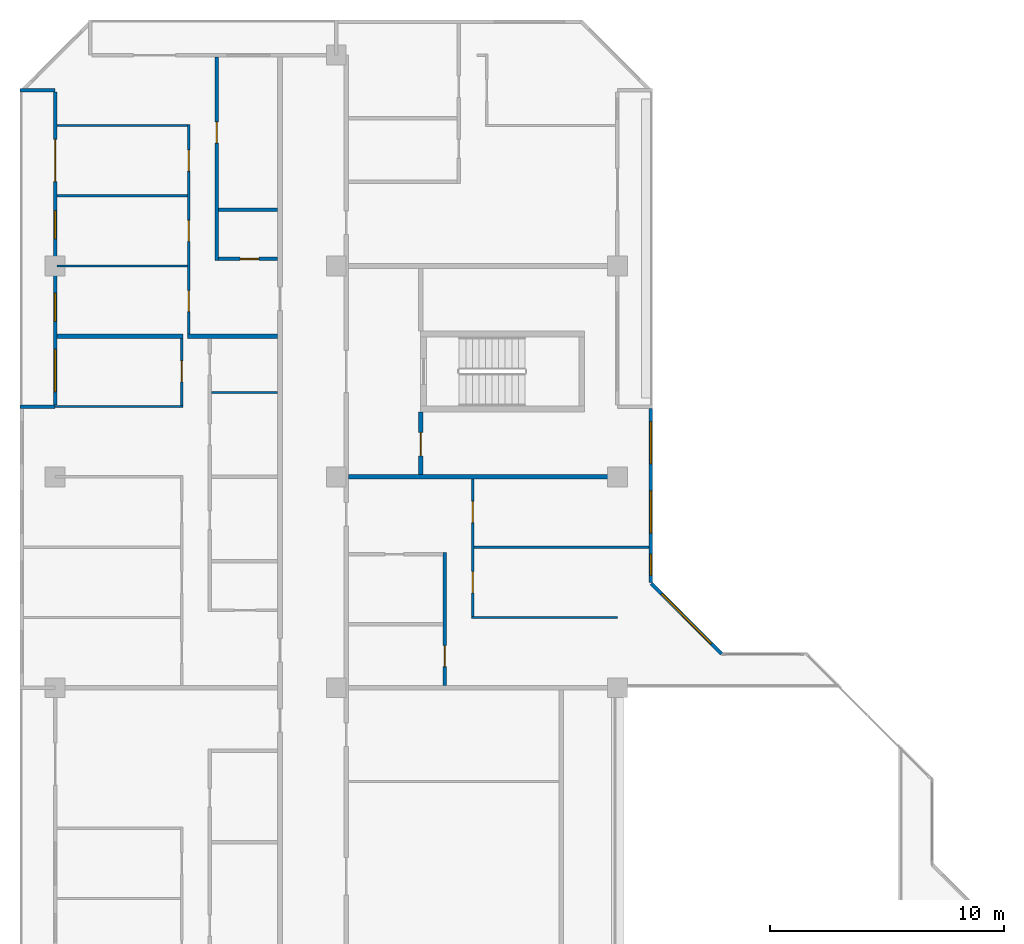
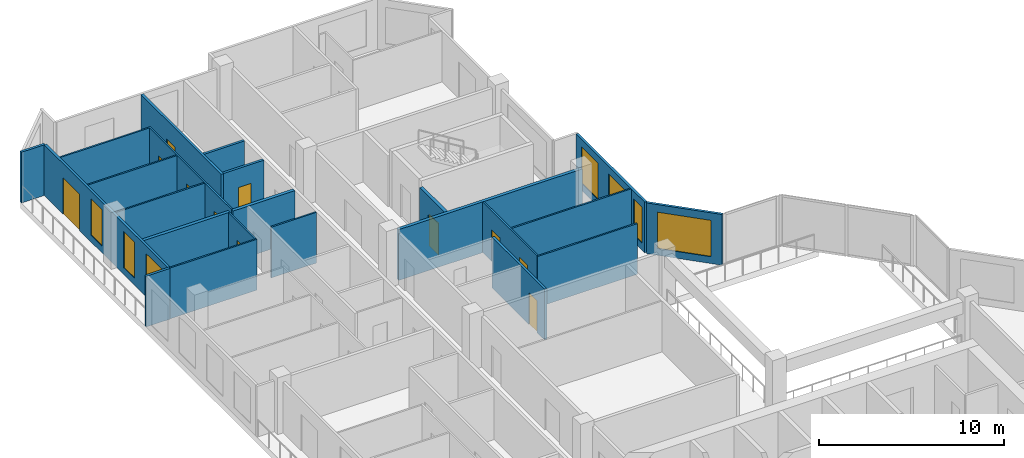
# One storey, part 10 of 16: 23 walls, 11 doors, 7 windows, 18 openings.
"""IFC4 building model written with IfcOpenShell, lengths in metres."""

from ifc_helpers import new_model, si_unit, direction, frame, frame_2d, origin, place, context, subcontext, project, spatial, rectangle, extrude, material, layer, layer_set, type_object, element, fill, save


model = new_model("IFC4")

# Units and contexts
model_context = context("Model", 3, precision=1e-05, world=origin(), true_north=direction((0.0, 1.0)))
body_context = subcontext(model_context, "Body", "Model", "MODEL_VIEW")
ifc_project = project(units=[si_unit("LENGTHUNIT", "METRE"), si_unit("AREAUNIT", "SQUARE_METRE"), si_unit("VOLUMEUNIT", "CUBIC_METRE"), si_unit("PLANEANGLEUNIT", "RADIAN"), si_unit("MASSUNIT", "GRAM", prefix="KILO")], contexts=[model_context])

# Site, building, storey
site_placement = place(None, origin())
site = spatial("IfcSite", under=ifc_project, at=site_placement, CompositionType="ELEMENT")
building_placement = place(site_placement, origin())
building = spatial("IfcBuilding", under=site, at=building_placement, Name="Chenar Terraces", CompositionType="ELEMENT")
storey_placement = place(building_placement, frame((0.0, 0.0, 222.89990234375)))
storey = spatial("IfcBuildingStorey", under=building, at=storey_placement, Name="L52", CompositionType="ELEMENT", Elevation=222.89990234375)

# Wall, opening, door
ifc_material_1 = material(Name="Gypsum board on steel studs with fire boards", Category="steel")
ifc_layer_1 = layer(ifc_material_1, 0.199951171875)
ifc_layer_set_1 = layer_set([ifc_layer_1], Name="Gypsum board on steel studs with fire boards")
wall_type_1 = type_object("IfcWallType", Name="Corridor wall 200", PredefinedType="PARTITIONING", material=ifc_layer_set_1)
wall_1_placement = place(storey_placement, frame((15.60009765625, 45.10009765625, 0.0), z_axis=(0.0, 0.0, 1.0), x_axis=(0.0, 1.0, 0.0)))
wall_1 = element("IfcWall", 1, at=wall_1_placement, inside=storey, type_object=wall_type_1, Name="Partition L52-047", PredefinedType="PARTITIONING", context=body_context, shape_type="SweptSolid", body=[
    extrude(rectangle(XDim=2.6748046875, YDim=0.199951171875, at=frame_2d((1.33740234375, 0.0))), origin(), (0.0, 0.0, 1.0), 3.35009765625),
])
opening_1_placement = place(wall_1_placement, frame((0.800048828125, 0.0, 0.0)))
opening_1 = element("IfcOpeningElement", 2, at=opening_1_placement, cuts=wall_1, Name="Opening DL52-43", PredefinedType="OPENING", context=body_context, shape_type="SweptSolid", body=[
    extrude(rectangle(XDim=1.0, YDim=2.10009765625, at=frame_2d((0.5, 1.050048828125))), frame((0.0, 0.10986328125, 0.0), z_axis=(0.0, -1.0, 0.0), x_axis=(1.0, 0.0, 0.0)), (0.0, 0.0, 1.0), 0.219970703125),
])
ifc_material_2 = material(Name="Steel-framed fire-resisting door leaf", Category="steel")
door_type_1 = type_object("IfcDoorType", Name="Fire door FD60 1000 x 2100", OperationType="SINGLE_SWING_LEFT", PredefinedType="DOOR", material=ifc_material_2)
door_1_placement = place(opening_1_placement, frame((1.0, 0.0, 0.0), z_axis=(0.0, 0.0, 1.0), x_axis=(-1.0, 0.0, 0.0)))
door_1 = element("IfcDoor", 3, at=door_1_placement, inside=storey, type_object=door_type_1, Name="Door DL52-43", OperationType="SINGLE_SWING_RIGHT", OverallHeight=2.10009765625, OverallWidth=1.0, PredefinedType="DOOR", context=body_context, shape_type="SweptSolid", body=[
    extrude(rectangle(XDim=1.0, YDim=2.10009765625, at=frame_2d((0.5, 1.050048828125))), frame((0.0, 0.02490234375, 0.0), z_axis=(0.0, -1.0, 0.0), x_axis=(1.0, 0.0, 0.0)), (0.0, 0.0, 1.0), 0.050048828125),
])
fill(opening_1, door_1)

# Wall, openings, windows
ifc_material_3 = material(Name="Aluminium framed glazing", Category="aluminium")
ifc_layer_2 = layer(ifc_material_3, 0.14990234375)
ifc_layer_set_2 = layer_set([ifc_layer_2], Name="Aluminium framed glazing")
wall_type_2 = type_object("IfcWallType", Name="Glazed flush facade wall 150", PredefinedType="SOLIDWALL", material=ifc_layer_set_2)
wall_2_placement = place(storey_placement, frame((25.425048828125, 40.5, 0.0), z_axis=(0.0, 0.0, 1.0), x_axis=(0.0, 1.0, 0.0)))
wall_2 = element("IfcWall", 4, at=wall_2_placement, inside=storey, type_object=wall_type_2, Name="Glazed flush facade wall", PredefinedType="SOLIDWALL", context=body_context, shape_type="SweptSolid", body=[
    extrude(rectangle(XDim=7.425048828125, YDim=0.14990234375, at=frame_2d((3.71240234375, 0.0))), origin(), (0.0, 0.0, 1.0), 3.35009765625),
])
opening_2_placement = place(wall_2_placement, frame((0.300048828125, 0.0, 0.449951171875)))
opening_2 = element("IfcOpeningElement", 5, at=opening_2_placement, cuts=wall_2, Name="Opening W90x240", PredefinedType="OPENING", context=body_context, shape_type="SweptSolid", body=[
    extrude(rectangle(XDim=0.89990234375, YDim=2.39990234375, at=frame_2d((0.449951171875, 1.199951171875))), frame((0.0, 0.0849609375, 0.0), z_axis=(0.0, -1.0, 0.0), x_axis=(1.0, 0.0, 0.0)), (0.0, 0.0, 1.0), 0.169921875),
])
opening_3_placement = place(wall_2_placement, frame((2.10009765625, 0.0, 0.449951171875)))
opening_3 = element("IfcOpeningElement", 6, at=opening_3_placement, cuts=wall_2, Name="Opening W180x240", PredefinedType="OPENING", context=body_context, shape_type="SweptSolid", body=[
    extrude(rectangle(XDim=1.800048828125, YDim=2.39990234375, at=frame_2d((0.89990234375, 1.199951171875))), frame((0.0, 0.0849609375, 0.0), z_axis=(0.0, -1.0, 0.0), x_axis=(1.0, 0.0, 0.0)), (0.0, 0.0, 1.0), 0.169921875),
])
opening_4_placement = place(wall_2_placement, frame((5.0625, 0.0, 0.449951171875)))
opening_4 = element("IfcOpeningElement", 7, at=opening_4_placement, cuts=wall_2, Name="Opening W180x240", PredefinedType="OPENING", context=body_context, shape_type="SweptSolid", body=[
    extrude(rectangle(XDim=1.800048828125, YDim=2.39990234375, at=frame_2d((0.89990234375, 1.199951171875))), frame((0.0, 0.0849609375, 0.0), z_axis=(0.0, -1.0, 0.0), x_axis=(1.0, 0.0, 0.0)), (0.0, 0.0, 1.0), 0.169921875),
])
ifc_material_4 = material(Name="Low emissivity double glazing, aluminium frame", Category="aluminium")
window_type_1 = type_object("IfcWindowType", Name="Fixed light 1800 x 2400", PartitioningType="SINGLE_PANEL", PredefinedType="WINDOW", material=ifc_material_4)
window_1_placement = place(opening_3_placement, origin())
window_1 = element("IfcWindow", 8, at=window_1_placement, inside=storey, type_object=window_type_1, Name="Window", OverallHeight=2.39990234375, OverallWidth=1.800048828125, PartitioningType="SINGLE_PANEL", PredefinedType="WINDOW", context=body_context, shape_type="SweptSolid", body=[
    extrude(rectangle(XDim=1.800048828125, YDim=2.39990234375, at=frame_2d((0.89990234375, 1.199951171875))), frame((0.0, 0.030029296875, 0.0), z_axis=(0.0, -1.0, 0.0), x_axis=(1.0, 0.0, 0.0)), (0.0, 0.0, 1.0), 0.06005859375),
])
fill(opening_3, window_1)
window_2_placement = place(opening_4_placement, origin())
window_2 = element("IfcWindow", 9, at=window_2_placement, inside=storey, type_object=window_type_1, Name="Window", OverallHeight=2.39990234375, OverallWidth=1.800048828125, PartitioningType="SINGLE_PANEL", PredefinedType="WINDOW", context=body_context, shape_type="SweptSolid", body=[
    extrude(rectangle(XDim=1.800048828125, YDim=2.39990234375, at=frame_2d((0.89990234375, 1.199951171875))), frame((0.0, 0.030029296875, 0.0), z_axis=(0.0, -1.0, 0.0), x_axis=(1.0, 0.0, 0.0)), (0.0, 0.0, 1.0), 0.06005859375),
])
fill(opening_4, window_2)
ifc_material_5 = material(Name="Low emissivity double glazing, aluminium frame", Category="aluminium")
window_type_2 = type_object("IfcWindowType", Name="Fixed light 900 x 2400", PartitioningType="SINGLE_PANEL", PredefinedType="WINDOW", material=ifc_material_5)
window_3_placement = place(opening_2_placement, origin())
window_3 = element("IfcWindow", 10, at=window_3_placement, inside=storey, type_object=window_type_2, Name="Window", OverallHeight=2.39990234375, OverallWidth=0.89990234375, PartitioningType="SINGLE_PANEL", PredefinedType="WINDOW", context=body_context, shape_type="SweptSolid", body=[
    extrude(rectangle(XDim=0.89990234375, YDim=2.39990234375, at=frame_2d((0.449951171875, 1.199951171875))), frame((0.0, 0.030029296875, 0.0), z_axis=(0.0, -1.0, 0.0), x_axis=(1.0, 0.0, 0.0)), (0.0, 0.0, 1.0), 0.06005859375),
])
fill(opening_2, window_3)

# Wall, openings, windows, door
ifc_material_6 = material(Name="Aluminium framed glazing", Category="aluminium")
ifc_layer_3 = layer(ifc_material_6, 0.14990234375)
ifc_layer_set_3 = layer_set([ifc_layer_3], Name="Aluminium framed glazing")
wall_type_3 = type_object("IfcWallType", Name="Glazed loggia back wall 150", PredefinedType="SOLIDWALL", material=ifc_layer_set_3)
wall_3_placement = place(storey_placement, frame((0.0, 61.425048828125, 0.0), z_axis=(0.0, 0.0, 1.0), x_axis=(0.0, -1.0, 0.0)))
wall_3 = element("IfcWall", 11, at=wall_3_placement, inside=storey, type_object=wall_type_3, Name="Glazed loggia back wall", PredefinedType="SOLIDWALL", context=body_context, shape_type="SweptSolid", body=[
    extrude(rectangle(XDim=13.35009765625, YDim=0.14990234375, at=frame_2d((6.675048828125, 0.0))), origin(), (0.0, 0.0, 1.0), 3.35009765625),
])
opening_5_placement = place(wall_3_placement, frame((2.02490234375, 0.0, 0.0)))
opening_5 = element("IfcOpeningElement", 12, at=opening_5_placement, cuts=wall_3, Name="Opening DL52-G4", PredefinedType="OPENING", context=body_context, shape_type="SweptSolid", body=[
    extrude(rectangle(XDim=1.800048828125, YDim=2.39990234375, at=frame_2d((0.89990234375, 1.199951171875))), frame((0.0, 0.0849609375, 0.0), z_axis=(0.0, -1.0, 0.0), x_axis=(1.0, 0.0, 0.0)), (0.0, 0.0, 1.0), 0.169921875),
])
opening_6_placement = place(wall_3_placement, frame((5.0625, 0.0, 0.449951171875)))
opening_6 = element("IfcOpeningElement", 13, at=opening_6_placement, cuts=wall_3, Name="Opening W120x240", PredefinedType="OPENING", context=body_context, shape_type="SweptSolid", body=[
    extrude(rectangle(XDim=1.199951171875, YDim=2.39990234375, at=frame_2d((0.60009765625, 1.199951171875))), frame((0.0, 0.0849609375, 0.0), z_axis=(0.0, -1.0, 0.0), x_axis=(1.0, 0.0, 0.0)), (0.0, 0.0, 1.0), 0.169921875),
])
opening_7_placement = place(wall_3_placement, frame((8.58740234375, 0.0, 0.449951171875)))
opening_7 = element("IfcOpeningElement", 14, at=opening_7_placement, cuts=wall_3, Name="Opening W120x240", PredefinedType="OPENING", context=body_context, shape_type="SweptSolid", body=[
    extrude(rectangle(XDim=1.199951171875, YDim=2.39990234375, at=frame_2d((0.60009765625, 1.199951171875))), frame((0.0, 0.0849609375, 0.0), z_axis=(0.0, -1.0, 0.0), x_axis=(1.0, 0.0, 0.0)), (0.0, 0.0, 1.0), 0.169921875),
])
opening_8_placement = place(wall_3_placement, frame((10.987548828125, 0.0, 0.449951171875)))
opening_8 = element("IfcOpeningElement", 15, at=opening_8_placement, cuts=wall_3, Name="Opening W180x240", PredefinedType="OPENING", context=body_context, shape_type="SweptSolid", body=[
    extrude(rectangle(XDim=1.800048828125, YDim=2.39990234375, at=frame_2d((0.89990234375, 1.199951171875))), frame((0.0, 0.0849609375, 0.0), z_axis=(0.0, -1.0, 0.0), x_axis=(1.0, 0.0, 0.0)), (0.0, 0.0, 1.0), 0.169921875),
])
ifc_material_7 = material(Name="Low emissivity double glazing, aluminium frame", Category="aluminium")
window_type_3 = type_object("IfcWindowType", Name="Fixed light 1200 x 2400", PartitioningType="SINGLE_PANEL", PredefinedType="WINDOW", material=ifc_material_7)
window_4_placement = place(opening_6_placement, origin())
window_4 = element("IfcWindow", 16, at=window_4_placement, inside=storey, type_object=window_type_3, Name="Window", OverallHeight=2.39990234375, OverallWidth=1.199951171875, PartitioningType="SINGLE_PANEL", PredefinedType="WINDOW", context=body_context, shape_type="SweptSolid", body=[
    extrude(rectangle(XDim=1.199951171875, YDim=2.39990234375, at=frame_2d((0.60009765625, 1.199951171875))), frame((0.0, 0.030029296875, 0.0), z_axis=(0.0, -1.0, 0.0), x_axis=(1.0, 0.0, 0.0)), (0.0, 0.0, 1.0), 0.06005859375),
])
fill(opening_6, window_4)
window_5_placement = place(opening_7_placement, origin())
window_5 = element("IfcWindow", 17, at=window_5_placement, inside=storey, type_object=window_type_3, Name="Window", OverallHeight=2.39990234375, OverallWidth=1.199951171875, PartitioningType="SINGLE_PANEL", PredefinedType="WINDOW", context=body_context, shape_type="SweptSolid", body=[
    extrude(rectangle(XDim=1.199951171875, YDim=2.39990234375, at=frame_2d((0.60009765625, 1.199951171875))), frame((0.0, 0.030029296875, 0.0), z_axis=(0.0, -1.0, 0.0), x_axis=(1.0, 0.0, 0.0)), (0.0, 0.0, 1.0), 0.06005859375),
])
fill(opening_7, window_5)
window_6_placement = place(opening_8_placement, origin())
window_6 = element("IfcWindow", 18, at=window_6_placement, inside=storey, type_object=window_type_1, Name="Window", OverallHeight=2.39990234375, OverallWidth=1.800048828125, PartitioningType="SINGLE_PANEL", PredefinedType="WINDOW", context=body_context, shape_type="SweptSolid", body=[
    extrude(rectangle(XDim=1.800048828125, YDim=2.39990234375, at=frame_2d((0.89990234375, 1.199951171875))), frame((0.0, 0.030029296875, 0.0), z_axis=(0.0, -1.0, 0.0), x_axis=(1.0, 0.0, 0.0)), (0.0, 0.0, 1.0), 0.06005859375),
])
fill(opening_8, window_6)
ifc_material_8 = material(Name="Low emissivity double glazing, aluminium frame", Category="aluminium")
door_type_2 = type_object("IfcDoorType", Name="Loggia glazed double door 1800 x 2400", OperationType="DOUBLE_DOOR_SINGLE_SWING", PredefinedType="DOOR", material=ifc_material_8)
door_2_placement = place(opening_5_placement, frame((1.800048828125, 0.0, 0.0), z_axis=(0.0, 0.0, 1.0), x_axis=(-1.0, 0.0, 0.0)))
door_2 = element("IfcDoor", 19, at=door_2_placement, inside=storey, type_object=door_type_2, Name="Loggia glazed door", OperationType="DOUBLE_DOOR_SINGLE_SWING", OverallHeight=2.39990234375, OverallWidth=1.800048828125, PredefinedType="DOOR", context=body_context, shape_type="SweptSolid", body=[
    extrude(rectangle(XDim=1.800048828125, YDim=2.39990234375, at=frame_2d((0.89990234375, 1.199951171875))), frame((0.0, 0.02490234375, 0.0), z_axis=(0.0, -1.0, 0.0), x_axis=(1.0, 0.0, 0.0)), (0.0, 0.0, 1.0), 0.050048828125),
])
fill(opening_5, door_2)

# Walls
ifc_material_9 = material(Name="Gypsum board on steel studs", Category="steel")
ifc_layer_4 = layer(ifc_material_9, 0.10009765625)
ifc_layer_set_4 = layer_set([ifc_layer_4], Name="Gypsum board on steel studs")
wall_type_4 = type_object("IfcWallType", Name="Gypsum partition 100", PredefinedType="PARTITIONING", material=ifc_layer_set_4)
wall_4_placement = place(storey_placement, frame((0.0, 48.0, 0.0), z_axis=(0.0, 0.0, 1.0), x_axis=(1.0, 0.0, 0.0)))
element("IfcWall", 20, at=wall_4_placement, inside=storey, type_object=wall_type_4, Name="Partition L52-007", PredefinedType="PARTITIONING", context=body_context, shape_type="SweptSolid", body=[
    extrude(rectangle(XDim=5.449951171875, YDim=0.10009765625, at=frame_2d((2.72509765625, 0.0))), origin(), (0.0, 0.0, 1.0), 3.35009765625),
])
for number, where, z_axis, x_axis, name in (
    (21, (0.073974609375, 54.0, 0.0), (0.0, 0.0, 1.0), (1.0, 0.0, 0.0), "Partition L52-011"),
    (22, (0.073974609375, 57.0, 0.0), (0.0, 0.0, 1.0), (1.0, 0.0, 0.0), "Partition L52-012"),
    (23, (0.073974609375, 60.0, 0.0), (0.0, 0.0, 1.0), (1.0, 0.0, 0.0), "Partition L52-013"),
):
    element("IfcWall", number, at=place(storey_placement, frame(where, z_axis=z_axis, x_axis=x_axis)), inside=storey, type_object=wall_type_4, Name=name, PredefinedType="PARTITIONING", context=body_context, shape_type="SweptSolid", body=[
        extrude(rectangle(XDim=5.575927734375, YDim=0.10009765625, at=frame_2d((2.7880859375, 0.0))), origin(), (0.0, 0.0, 1.0), 3.35009765625),
    ])

# Wall, opening, door
wall_5_placement = place(storey_placement, frame((5.39990234375, 48.050048828125, 0.0), z_axis=(0.0, 0.0, 1.0), x_axis=(0.0, 1.0, 0.0)))
wall_5 = element("IfcWall", 24, at=wall_5_placement, inside=storey, type_object=wall_type_4, Name="Partition L52-017", PredefinedType="PARTITIONING", context=body_context, shape_type="SweptSolid", body=[
    extrude(rectangle(XDim=2.849853515625, YDim=0.10009765625, at=frame_2d((1.4248046875, 0.0))), origin(), (0.0, 0.0, 1.0), 3.35009765625),
])
opening_9_placement = place(wall_5_placement, frame((1.0, 0.0, 0.0)))
opening_9 = element("IfcOpeningElement", 25, at=opening_9_placement, cuts=wall_5, Name="Opening DL52-31", PredefinedType="OPENING", context=body_context, shape_type="SweptSolid", body=[
    extrude(rectangle(XDim=0.89990234375, YDim=2.10009765625, at=frame_2d((0.449951171875, 1.050048828125))), frame((0.0, 0.06005859375, 0.0), z_axis=(0.0, -1.0, 0.0), x_axis=(1.0, 0.0, 0.0)), (0.0, 0.0, 1.0), 0.1201171875),
])
ifc_material_10 = material(Name="Veneered timber door leaf", Category="wood")
door_type_3 = type_object("IfcDoorType", Name="Door 900 x 2100", OperationType="SINGLE_SWING_LEFT", PredefinedType="DOOR", material=ifc_material_10)
door_3_placement = place(opening_9_placement, origin())
door_3 = element("IfcDoor", 26, at=door_3_placement, inside=storey, type_object=door_type_3, Name="Door DL52-31", OperationType="SINGLE_SWING_RIGHT", OverallHeight=2.10009765625, OverallWidth=0.89990234375, PredefinedType="DOOR", context=body_context, shape_type="SweptSolid", body=[
    extrude(rectangle(XDim=0.89990234375, YDim=2.10009765625, at=frame_2d((0.449951171875, 1.050048828125))), frame((0.0, 0.02490234375, 0.0), z_axis=(0.0, -1.0, 0.0), x_axis=(1.0, 0.0, 0.0)), (0.0, 0.0, 1.0), 0.050048828125),
])
fill(opening_9, door_3)

# Wall, openings, doors
wall_6_placement = place(storey_placement, frame((5.699951171875, 51.10009765625, 0.0), z_axis=(0.0, 0.0, 1.0), x_axis=(0.0, 1.0, 0.0)))
wall_6 = element("IfcWall", 27, at=wall_6_placement, inside=storey, type_object=wall_type_4, Name="Partition L52-019", PredefinedType="PARTITIONING", context=body_context, shape_type="SweptSolid", body=[
    extrude(rectangle(XDim=8.949951171875, YDim=0.10009765625, at=frame_2d((4.47509765625, 0.0))), origin(), (0.0, 0.0, 1.0), 3.35009765625),
])
opening_10_placement = place(wall_6_placement, frame((0.949951171875, 0.0, 0.0)))
opening_10 = element("IfcOpeningElement", 28, at=opening_10_placement, cuts=wall_6, Name="Opening DL52-33", PredefinedType="OPENING", context=body_context, shape_type="SweptSolid", body=[
    extrude(rectangle(XDim=0.89990234375, YDim=2.10009765625, at=frame_2d((0.449951171875, 1.050048828125))), frame((0.0, 0.06005859375, 0.0), z_axis=(0.0, -1.0, 0.0), x_axis=(1.0, 0.0, 0.0)), (0.0, 0.0, 1.0), 0.1201171875),
])
opening_11_placement = place(wall_6_placement, frame((3.949951171875, 0.0, 0.0)))
opening_11 = element("IfcOpeningElement", 29, at=opening_11_placement, cuts=wall_6, Name="Opening DL52-34", PredefinedType="OPENING", context=body_context, shape_type="SweptSolid", body=[
    extrude(rectangle(XDim=0.89990234375, YDim=2.10009765625, at=frame_2d((0.449951171875, 1.050048828125))), frame((0.0, 0.06005859375, 0.0), z_axis=(0.0, -1.0, 0.0), x_axis=(1.0, 0.0, 0.0)), (0.0, 0.0, 1.0), 0.1201171875),
])
opening_12_placement = place(wall_6_placement, frame((6.949951171875, 0.0, 0.0)))
opening_12 = element("IfcOpeningElement", 30, at=opening_12_placement, cuts=wall_6, Name="Opening DL52-37", PredefinedType="OPENING", context=body_context, shape_type="SweptSolid", body=[
    extrude(rectangle(XDim=0.89990234375, YDim=2.10009765625, at=frame_2d((0.449951171875, 1.050048828125))), frame((0.0, 0.06005859375, 0.0), z_axis=(0.0, -1.0, 0.0), x_axis=(1.0, 0.0, 0.0)), (0.0, 0.0, 1.0), 0.1201171875),
])
door_4_placement = place(opening_10_placement, origin())
door_4 = element("IfcDoor", 31, at=door_4_placement, inside=storey, type_object=door_type_3, Name="Door DL52-33", OperationType="SINGLE_SWING_RIGHT", OverallHeight=2.10009765625, OverallWidth=0.89990234375, PredefinedType="DOOR", context=body_context, shape_type="SweptSolid", body=[
    extrude(rectangle(XDim=0.89990234375, YDim=2.10009765625, at=frame_2d((0.449951171875, 1.050048828125))), frame((0.0, 0.02490234375, 0.0), z_axis=(0.0, -1.0, 0.0), x_axis=(1.0, 0.0, 0.0)), (0.0, 0.0, 1.0), 0.050048828125),
])
fill(opening_10, door_4)
door_5_placement = place(opening_11_placement, origin())
door_5 = element("IfcDoor", 32, at=door_5_placement, inside=storey, type_object=door_type_3, Name="Door DL52-34", OperationType="SINGLE_SWING_RIGHT", OverallHeight=2.10009765625, OverallWidth=0.89990234375, PredefinedType="DOOR", context=body_context, shape_type="SweptSolid", body=[
    extrude(rectangle(XDim=0.89990234375, YDim=2.10009765625, at=frame_2d((0.449951171875, 1.050048828125))), frame((0.0, 0.02490234375, 0.0), z_axis=(0.0, -1.0, 0.0), x_axis=(1.0, 0.0, 0.0)), (0.0, 0.0, 1.0), 0.050048828125),
])
fill(opening_11, door_5)
door_6_placement = place(opening_12_placement, origin())
door_6 = element("IfcDoor", 33, at=door_6_placement, inside=storey, type_object=door_type_3, Name="Door DL52-37", OperationType="SINGLE_SWING_RIGHT", OverallHeight=2.10009765625, OverallWidth=0.89990234375, PredefinedType="DOOR", context=body_context, shape_type="SweptSolid", body=[
    extrude(rectangle(XDim=0.89990234375, YDim=2.10009765625, at=frame_2d((0.449951171875, 1.050048828125))), frame((0.0, 0.02490234375, 0.0), z_axis=(0.0, -1.0, 0.0), x_axis=(1.0, 0.0, 0.0)), (0.0, 0.0, 1.0), 0.050048828125),
])
fill(opening_12, door_6)

# Walls
wall_7_placement = place(storey_placement, frame((6.675048828125, 48.60009765625, 0.0), z_axis=(0.0, 0.0, 1.0), x_axis=(1.0, 0.0, 0.0)))
element("IfcWall", 34, at=wall_7_placement, inside=storey, type_object=wall_type_4, Name="Partition L52-027", PredefinedType="PARTITIONING", context=body_context, shape_type="SweptSolid", body=[
    extrude(rectangle(XDim=2.824951171875, YDim=0.10009765625, at=frame_2d((1.41259765625, 0.0))), origin(), (0.0, 0.0, 1.0), 3.35009765625),
])
wall_8_placement = place(storey_placement, frame((17.77490234375, 39.0, 0.0), z_axis=(0.0, 0.0, 1.0), x_axis=(1.0, 0.0, 0.0)))
element("IfcWall", 35, at=wall_8_placement, inside=storey, type_object=wall_type_4, Name="Partition L52-051", PredefinedType="PARTITIONING", context=body_context, shape_type="SweptSolid", body=[
    extrude(rectangle(XDim=6.22509765625, YDim=0.10009765625, at=frame_2d((3.112548828125, 0.0))), origin(), (0.0, 0.0, 1.0), 3.35009765625),
])

# Wall, openings, doors
wall_9_placement = place(storey_placement, frame((17.824951171875, 39.050048828125, 0.0), z_axis=(0.0, 0.0, 1.0), x_axis=(0.0, 1.0, 0.0)))
wall_9 = element("IfcWall", 36, at=wall_9_placement, inside=storey, type_object=wall_type_4, Name="Partition L52-052", PredefinedType="PARTITIONING", context=body_context, shape_type="SweptSolid", body=[
    extrude(rectangle(XDim=5.849853515625, YDim=0.10009765625, at=frame_2d((2.9248046875, 0.0))), origin(), (0.0, 0.0, 1.0), 3.35009765625),
])
opening_13_placement = place(wall_9_placement, frame((1.0, 0.0, 0.0)))
opening_13 = element("IfcOpeningElement", 37, at=opening_13_placement, cuts=wall_9, Name="Opening DL52-15", PredefinedType="OPENING", context=body_context, shape_type="SweptSolid", body=[
    extrude(rectangle(XDim=0.89990234375, YDim=2.10009765625, at=frame_2d((0.449951171875, 1.050048828125))), frame((0.0, 0.06005859375, 0.0), z_axis=(0.0, -1.0, 0.0), x_axis=(1.0, 0.0, 0.0)), (0.0, 0.0, 1.0), 0.1201171875),
])
opening_14_placement = place(wall_9_placement, frame((4.0, 0.0, 0.0)))
opening_14 = element("IfcOpeningElement", 38, at=opening_14_placement, cuts=wall_9, Name="Opening DL52-16", PredefinedType="OPENING", context=body_context, shape_type="SweptSolid", body=[
    extrude(rectangle(XDim=0.89990234375, YDim=2.10009765625, at=frame_2d((0.449951171875, 1.050048828125))), frame((0.0, 0.06005859375, 0.0), z_axis=(0.0, -1.0, 0.0), x_axis=(1.0, 0.0, 0.0)), (0.0, 0.0, 1.0), 0.1201171875),
])
door_7_placement = place(opening_13_placement, frame((0.89990234375, 0.0, 0.0), z_axis=(0.0, 0.0, 1.0), x_axis=(-1.0, 0.0, 0.0)))
door_7 = element("IfcDoor", 39, at=door_7_placement, inside=storey, type_object=door_type_3, Name="Door DL52-15", OperationType="SINGLE_SWING_LEFT", OverallHeight=2.10009765625, OverallWidth=0.89990234375, PredefinedType="DOOR", context=body_context, shape_type="SweptSolid", body=[
    extrude(rectangle(XDim=0.89990234375, YDim=2.10009765625, at=frame_2d((0.449951171875, 1.050048828125))), frame((0.0, 0.02490234375, 0.0), z_axis=(0.0, -1.0, 0.0), x_axis=(1.0, 0.0, 0.0)), (0.0, 0.0, 1.0), 0.050048828125),
])
fill(opening_13, door_7)
door_8_placement = place(opening_14_placement, frame((0.89990234375, 0.0, 0.0), z_axis=(0.0, 0.0, 1.0), x_axis=(-1.0, 0.0, 0.0)))
door_8 = element("IfcDoor", 40, at=door_8_placement, inside=storey, type_object=door_type_3, Name="Door DL52-16", OperationType="SINGLE_SWING_LEFT", OverallHeight=2.10009765625, OverallWidth=0.89990234375, PredefinedType="DOOR", context=body_context, shape_type="SweptSolid", body=[
    extrude(rectangle(XDim=0.89990234375, YDim=2.10009765625, at=frame_2d((0.449951171875, 1.050048828125))), frame((0.0, 0.02490234375, 0.0), z_axis=(0.0, -1.0, 0.0), x_axis=(1.0, 0.0, 0.0)), (0.0, 0.0, 1.0), 0.050048828125),
])
fill(opening_14, door_8)

# Walls
wall_10_placement = place(storey_placement, frame((17.875, 42.0, 0.0), z_axis=(0.0, 0.0, 1.0), x_axis=(1.0, 0.0, 0.0)))
element("IfcWall", 41, at=wall_10_placement, inside=storey, type_object=wall_type_4, Name="Partition L52-053", PredefinedType="PARTITIONING", context=body_context, shape_type="SweptSolid", body=[
    extrude(rectangle(XDim=7.47607421875, YDim=0.10009765625, at=frame_2d((3.738037109375, 0.0))), origin(), (0.0, 0.0, 1.0), 3.35009765625),
])
ifc_material_11 = material(Name="Terracotta cladding on insulated backing", Category="masonry")
ifc_layer_5 = layer(ifc_material_11, 0.14990234375)
ifc_layer_set_5 = layer_set([ifc_layer_5], Name="Terracotta cladding on insulated backing")
wall_type_5 = type_object("IfcWallType", Name="Loggia return wall 150", PredefinedType="SOLIDWALL", material=ifc_layer_set_5)
for number, where, z_axis, x_axis, name in (
    (42, (-1.5, 61.5, 0.0), (0.0, 0.0, 1.0), (1.0, 0.0, 0.0), "Loggia return wall"),
    (43, (-1.5, 48.0, 0.0), (0.0, 0.0, 1.0), (1.0, 0.0, 0.0), "Loggia return wall"),
):
    element("IfcWall", number, at=place(storey_placement, frame(where, z_axis=z_axis, x_axis=x_axis)), inside=storey, type_object=wall_type_5, Name=name, PredefinedType="SOLIDWALL", context=body_context, shape_type="SweptSolid", body=[
        extrude(rectangle(XDim=1.5, YDim=0.14990234375, at=frame_2d((0.75, 0.0))), origin(), (0.0, 0.0, 1.0), 3.35009765625),
    ])

# Wall, opening, window
ifc_material_12 = material(Name="Terracotta cladding on insulated backing", Category="masonry")
ifc_layer_6 = layer(ifc_material_12, 0.14990234375)
ifc_layer_set_6 = layer_set([ifc_layer_6], Name="Terracotta cladding on insulated backing")
wall_type_6 = type_object("IfcWallType", Name="Terracotta rainscreen wall 150", PredefinedType="SOLIDWALL", material=ifc_layer_set_6)
wall_11_placement = place(storey_placement, frame((28.447021484375, 37.447021484375, 0.0), z_axis=(0.0, 0.0, 1.0), x_axis=(-0.707106781187, 0.707106781187, 0.0)))
wall_11 = element("IfcWall", 44, at=wall_11_placement, inside=storey, type_object=wall_type_6, Name="Terracotta rainscreen wall", PredefinedType="SOLIDWALL", context=body_context, shape_type="SweptSolid", body=[
    extrude(rectangle(XDim=4.24267578125, YDim=0.14990234375, at=frame_2d((2.121337890625, 0.0))), origin(), (0.0, 0.0, 1.0), 3.35009765625),
])
opening_15_placement = place(wall_11_placement, frame((0.621337890625, 0.0, 0.449951171875)))
opening_15 = element("IfcOpeningElement", 45, at=opening_15_placement, cuts=wall_11, Name="Opening W300x240", PredefinedType="OPENING", context=body_context, shape_type="SweptSolid", body=[
    extrude(rectangle(XDim=3.0, YDim=2.39990234375, at=frame_2d((1.5, 1.199951171875))), frame((0.0, 0.0849609375, 0.0), z_axis=(0.0, -1.0, 0.0), x_axis=(1.0, 0.0, 0.0)), (0.0, 0.0, 1.0), 0.169921875),
])
ifc_material_13 = material(Name="Low emissivity double glazing, aluminium frame", Category="aluminium")
window_type_4 = type_object("IfcWindowType", Name="Fixed light 3000 x 2400", PartitioningType="SINGLE_PANEL", PredefinedType="WINDOW", material=ifc_material_13)
window_7_placement = place(opening_15_placement, origin())
window_7 = element("IfcWindow", 46, at=window_7_placement, inside=storey, type_object=window_type_4, Name="Window", OverallHeight=2.39990234375, OverallWidth=3.0, PartitioningType="SINGLE_PANEL", PredefinedType="WINDOW", context=body_context, shape_type="SweptSolid", body=[
    extrude(rectangle(XDim=3.0, YDim=2.39990234375, at=frame_2d((1.5, 1.199951171875))), frame((0.0, 0.030029296875, 0.0), z_axis=(0.0, -1.0, 0.0), x_axis=(1.0, 0.0, 0.0)), (0.0, 0.0, 1.0), 0.06005859375),
])
fill(opening_15, window_7)

# Walls
ifc_material_14 = material(Name="Twin gypsum board on steel studs with mineral wool", Category="steel")
ifc_layer_7 = layer(ifc_material_14, 0.199951171875)
ifc_layer_set_7 = layer_set([ifc_layer_7], Name="Twin gypsum board on steel studs with mineral wool")
wall_type_7 = type_object("IfcWallType", Name="Unit demising wall 200", PredefinedType="PARTITIONING", material=ifc_layer_set_7)
wall_12_placement = place(storey_placement, frame((0.073974609375, 51.0, 0.0), z_axis=(0.0, 0.0, 1.0), x_axis=(1.0, 0.0, 0.0)))
element("IfcWall", 47, at=wall_12_placement, inside=storey, type_object=wall_type_7, Name="Partition L52-010", PredefinedType="PARTITIONING", context=body_context, shape_type="SweptSolid", body=[
    extrude(rectangle(XDim=5.3759765625, YDim=0.199951171875, at=frame_2d((2.68798828125, 0.0))), origin(), (0.0, 0.0, 1.0), 3.35009765625),
])
wall_13_placement = place(storey_placement, frame((5.64990234375, 51.0, 0.0), z_axis=(0.0, 0.0, 1.0), x_axis=(1.0, 0.0, 0.0)))
element("IfcWall", 48, at=wall_13_placement, inside=storey, type_object=wall_type_7, Name="Partition L52-018", PredefinedType="PARTITIONING", context=body_context, shape_type="SweptSolid", body=[
    extrude(rectangle(XDim=3.85009765625, YDim=0.199951171875, at=frame_2d((1.925048828125, 0.0))), origin(), (0.0, 0.0, 1.0), 3.35009765625),
])
wall_14_placement = place(storey_placement, frame((12.52490234375, 45.0, 0.0), z_axis=(0.0, 0.0, 1.0), x_axis=(1.0, 0.0, 0.0)))
element("IfcWall", 49, at=wall_14_placement, inside=storey, type_object=wall_type_7, Name="Partition L52-042", PredefinedType="PARTITIONING", context=body_context, shape_type="SweptSolid", body=[
    extrude(rectangle(XDim=11.47509765625, YDim=0.199951171875, at=frame_2d((5.737548828125, 0.0))), origin(), (0.0, 0.0, 1.0), 3.35009765625),
])

# Wall, opening, door
ifc_material_15 = material(Name="Moisture-resistant gypsum board on steel studs", Category="steel")
ifc_layer_8 = layer(ifc_material_15, 0.14990234375)
ifc_layer_set_8 = layer_set([ifc_layer_8], Name="Moisture-resistant gypsum board on steel studs")
wall_type_8 = type_object("IfcWallType", Name="Wet-room partition 150", PredefinedType="PARTITIONING", material=ifc_layer_set_8)
wall_15_placement = place(storey_placement, frame((6.89990234375, 54.22509765625, 0.0), z_axis=(0.0, 0.0, 1.0), x_axis=(0.0, 1.0, 0.0)))
wall_15 = element("IfcWall", 50, at=wall_15_placement, inside=storey, type_object=wall_type_8, Name="Partition L52-028", PredefinedType="PARTITIONING", context=body_context, shape_type="SweptSolid", body=[
    extrude(rectangle(XDim=8.700927734375, YDim=0.14990234375, at=frame_2d((4.3505859375, 0.0))), origin(), (0.0, 0.0, 1.0), 3.35009765625),
])
opening_16_placement = place(wall_15_placement, frame((5.02490234375, 0.0, 0.0)))
opening_16 = element("IfcOpeningElement", 51, at=opening_16_placement, cuts=wall_15, Name="Opening DL52-35", PredefinedType="OPENING", context=body_context, shape_type="SweptSolid", body=[
    extrude(rectangle(XDim=0.89990234375, YDim=2.10009765625, at=frame_2d((0.449951171875, 1.050048828125))), frame((0.0, 0.0849609375, 0.0), z_axis=(0.0, -1.0, 0.0), x_axis=(1.0, 0.0, 0.0)), (0.0, 0.0, 1.0), 0.169921875),
])
door_9_placement = place(opening_16_placement, frame((0.89990234375, 0.0, 0.0), z_axis=(0.0, 0.0, 1.0), x_axis=(-1.0, 0.0, 0.0)))
door_9 = element("IfcDoor", 52, at=door_9_placement, inside=storey, type_object=door_type_3, Name="Door DL52-35", OperationType="SINGLE_SWING_LEFT", OverallHeight=2.10009765625, OverallWidth=0.89990234375, PredefinedType="DOOR", context=body_context, shape_type="SweptSolid", body=[
    extrude(rectangle(XDim=0.89990234375, YDim=2.10009765625, at=frame_2d((0.449951171875, 1.050048828125))), frame((0.0, 0.02490234375, 0.0), z_axis=(0.0, -1.0, 0.0), x_axis=(1.0, 0.0, 0.0)), (0.0, 0.0, 1.0), 0.050048828125),
])
fill(opening_16, door_9)

wall_16_placement = place(storey_placement, frame((6.97509765625, 54.300048828125, 0.0), z_axis=(0.0, 0.0, 1.0), x_axis=(1.0, 0.0, 0.0)))
wall_16 = element("IfcWall", 53, at=wall_16_placement, inside=storey, type_object=wall_type_8, Name="Partition L52-029", PredefinedType="PARTITIONING", context=body_context, shape_type="SweptSolid", body=[
    extrude(rectangle(XDim=2.52490234375, YDim=0.14990234375, at=frame_2d((1.262451171875, 0.0))), origin(), (0.0, 0.0, 1.0), 3.35009765625),
])
opening_17_placement = place(wall_16_placement, frame((0.925048828125, 0.0, 0.0)))
opening_17 = element("IfcOpeningElement", 54, at=opening_17_placement, cuts=wall_16, Name="Opening DL52-32", PredefinedType="OPENING", context=body_context, shape_type="SweptSolid", body=[
    extrude(rectangle(XDim=0.800048828125, YDim=2.10009765625, at=frame_2d((0.39990234375, 1.050048828125))), frame((0.0, 0.0849609375, 0.0), z_axis=(0.0, -1.0, 0.0), x_axis=(1.0, 0.0, 0.0)), (0.0, 0.0, 1.0), 0.169921875),
])
ifc_material_16 = material(Name="Veneered timber door leaf", Category="wood")
door_type_4 = type_object("IfcDoorType", Name="Door 800 x 2100", OperationType="SINGLE_SWING_LEFT", PredefinedType="DOOR", material=ifc_material_16)
door_10_placement = place(opening_17_placement, origin())
door_10 = element("IfcDoor", 55, at=door_10_placement, inside=storey, type_object=door_type_4, Name="Door DL52-32", OperationType="SINGLE_SWING_RIGHT", OverallHeight=2.10009765625, OverallWidth=0.800048828125, PredefinedType="DOOR", context=body_context, shape_type="SweptSolid", body=[
    extrude(rectangle(XDim=0.800048828125, YDim=2.10009765625, at=frame_2d((0.39990234375, 1.050048828125))), frame((0.0, 0.02490234375, 0.0), z_axis=(0.0, -1.0, 0.0), x_axis=(1.0, 0.0, 0.0)), (0.0, 0.0, 1.0), 0.050048828125),
])
fill(opening_17, door_10)

# Wall
wall_17_placement = place(storey_placement, frame((6.97509765625, 56.39990234375, 0.0), z_axis=(0.0, 0.0, 1.0), x_axis=(1.0, 0.0, 0.0)))
element("IfcWall", 56, at=wall_17_placement, inside=storey, type_object=wall_type_8, Name="Partition L52-030", PredefinedType="PARTITIONING", context=body_context, shape_type="SweptSolid", body=[
    extrude(rectangle(XDim=2.52490234375, YDim=0.14990234375, at=frame_2d((1.262451171875, 0.0))), origin(), (0.0, 0.0, 1.0), 3.35009765625),
])

# Wall, opening, door
wall_18_placement = place(storey_placement, frame((16.625, 36.10009765625, 0.0), z_axis=(0.0, 0.0, 1.0), x_axis=(0.0, 1.0, 0.0)))
wall_18 = element("IfcWall", 57, at=wall_18_placement, inside=storey, type_object=wall_type_8, Name="Partition L52-049", PredefinedType="PARTITIONING", context=body_context, shape_type="SweptSolid", body=[
    extrude(rectangle(XDim=5.6748046875, YDim=0.14990234375, at=frame_2d((2.83740234375, 0.0))), origin(), (0.0, 0.0, 1.0), 3.35009765625),
])
opening_18_placement = place(wall_18_placement, frame((0.800048828125, 0.0, 0.0)))
opening_18 = element("IfcOpeningElement", 58, at=opening_18_placement, cuts=wall_18, Name="Opening DL52-17", PredefinedType="OPENING", context=body_context, shape_type="SweptSolid", body=[
    extrude(rectangle(XDim=0.89990234375, YDim=2.10009765625, at=frame_2d((0.449951171875, 1.050048828125))), frame((0.0, 0.0849609375, 0.0), z_axis=(0.0, -1.0, 0.0), x_axis=(1.0, 0.0, 0.0)), (0.0, 0.0, 1.0), 0.169921875),
])
door_11_placement = place(opening_18_placement, origin())
door_11 = element("IfcDoor", 59, at=door_11_placement, inside=storey, type_object=door_type_3, Name="Door DL52-17", OperationType="SINGLE_SWING_RIGHT", OverallHeight=2.10009765625, OverallWidth=0.89990234375, PredefinedType="DOOR", context=body_context, shape_type="SweptSolid", body=[
    extrude(rectangle(XDim=0.89990234375, YDim=2.10009765625, at=frame_2d((0.449951171875, 1.050048828125))), frame((0.0, 0.02490234375, 0.0), z_axis=(0.0, -1.0, 0.0), x_axis=(1.0, 0.0, 0.0)), (0.0, 0.0, 1.0), 0.050048828125),
])
fill(opening_18, door_11)

save(model, "model.ifc")
